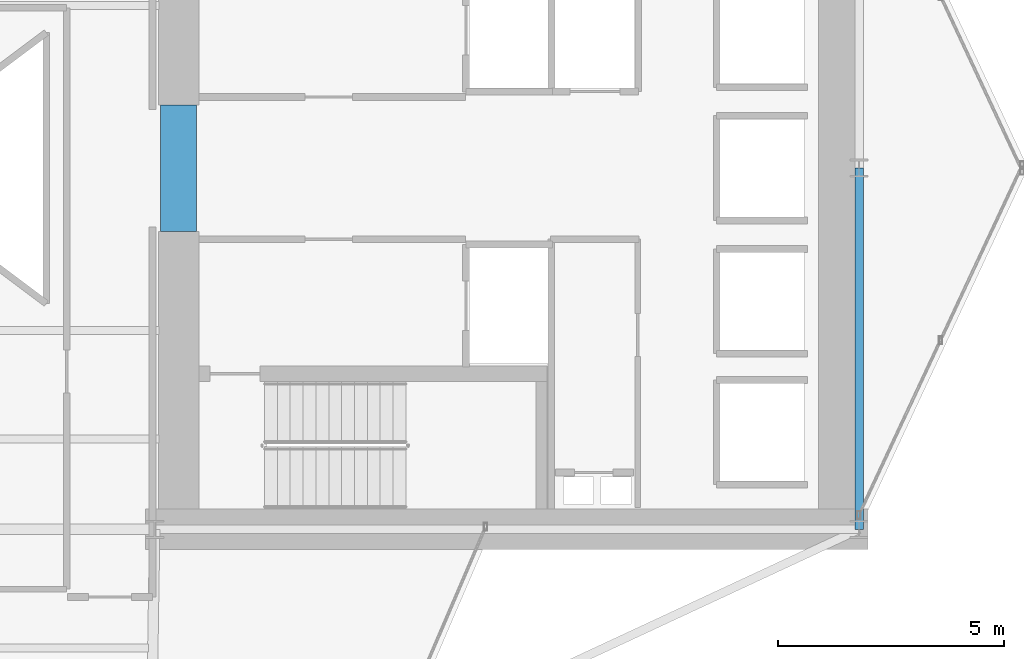
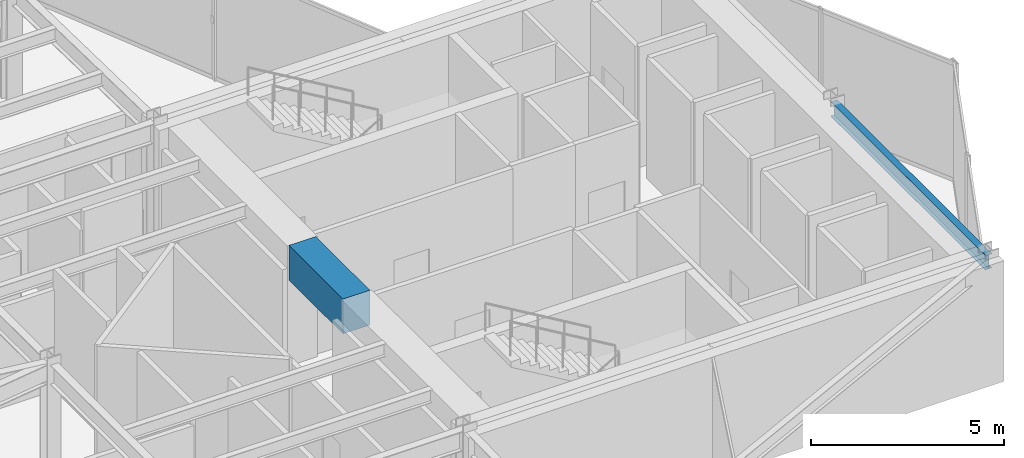
# One storey, part 14 of 27: 2 beams.
"""IFC4 building model written with IfcOpenShell, lengths in metres."""

from ifc_helpers import new_model, si_unit, direction, frame, origin, origin_2d, place, context, subcontext, project, spatial, rectangle, i_section, extrude, material, material_profile, profile_set, type_object, element, save


model = new_model("IFC4")

# Units and contexts
model_context = context("Model", 3, precision=1e-05, world=origin(), true_north=direction((0.0, 1.0)))
body_context = subcontext(model_context, "Body", "Model", "MODEL_VIEW")
ifc_project = project(units=[si_unit("LENGTHUNIT", "METRE"), si_unit("AREAUNIT", "SQUARE_METRE"), si_unit("VOLUMEUNIT", "CUBIC_METRE"), si_unit("PLANEANGLEUNIT", "RADIAN"), si_unit("MASSUNIT", "GRAM", prefix="KILO")], contexts=[model_context])

# Site, building, storey
site_placement = place(None, origin())
site = spatial("IfcSite", under=ifc_project, at=site_placement, CompositionType="ELEMENT")
building_placement = place(site_placement, origin())
building = spatial("IfcBuilding", under=site, at=building_placement, Name="Veymaron Broadcast Tower", CompositionType="ELEMENT")
storey_placement = place(building_placement, frame((0.0, 0.0, 86.39990234375)))
storey = spatial("IfcBuildingStorey", under=building, at=storey_placement, Name="L19", CompositionType="ELEMENT", Elevation=86.39990234375)

# Beams
ifc_material_1 = material(Name="Concrete C70/85", Category="concrete")
ifc_material_profile_1 = material_profile(ifc_material_1, rectangle(XDim=0.800048828125, YDim=1.10009765625, at=origin_2d()), Name="RC800X1100")
ifc_profile_set_1 = profile_set([ifc_material_profile_1], Name="Concrete C70/85")
beam_type_1 = type_object("IfcBeamType", Name="BM-CB1", PredefinedType="LINTEL", material=ifc_profile_set_1)
beam_1_placement = place(storey_placement, frame((39.530029296875, 22.60009765625, 3.260009765625), z_axis=(0.0, 1.0, 0.0), x_axis=(-1.0, 0.0, 0.0)))
element("IfcBeam", 1, at=beam_1_placement, inside=storey, type_object=beam_type_1, Name="L19 Core Wall west coupling beam", PredefinedType="LINTEL", context=body_context, shape_type="SweptSolid", body=[
    extrude(rectangle(XDim=0.800048828125, YDim=1.10009765625, at=origin_2d()), origin(), (0.0, 0.0, 1.0), 2.7998046875),
])
ifc_material_2 = material(Name="Structural steel ASTM A992 Gr 50", Category="steel")
ifc_material_profile_2 = material_profile(ifc_material_2, i_section(OverallWidth=0.19091796875, OverallDepth=0.4599609375, WebThickness=0.010009765625, FlangeThickness=0.01611328125, at=origin_2d()), Name="W460X82")
ifc_profile_set_2 = profile_set([ifc_material_profile_2], Name="Structural steel ASTM A992 Gr 50")
beam_type_2 = type_object("IfcBeamType", Name="BM-SP1", PredefinedType="SPANDREL", material=ifc_profile_set_2)
beam_2_placement = place(storey_placement, frame((54.60009765625, 16.0, 3.580078125), z_axis=(0.0, 1.0, 0.0), x_axis=(-1.0, 0.0, 0.0)))
element("IfcBeam", 2, at=beam_2_placement, inside=storey, type_object=beam_type_2, Name="L19 primary structural floor girder", PredefinedType="SPANDREL", context=body_context, shape_type="SweptSolid", body=[
    extrude(i_section(OverallWidth=0.19091796875, OverallDepth=0.4599609375, WebThickness=0.010009765625, FlangeThickness=0.01611328125, at=origin_2d()), origin(), (0.0, 0.0, 1.0), 8.0),
])

save(model, "model.ifc")
